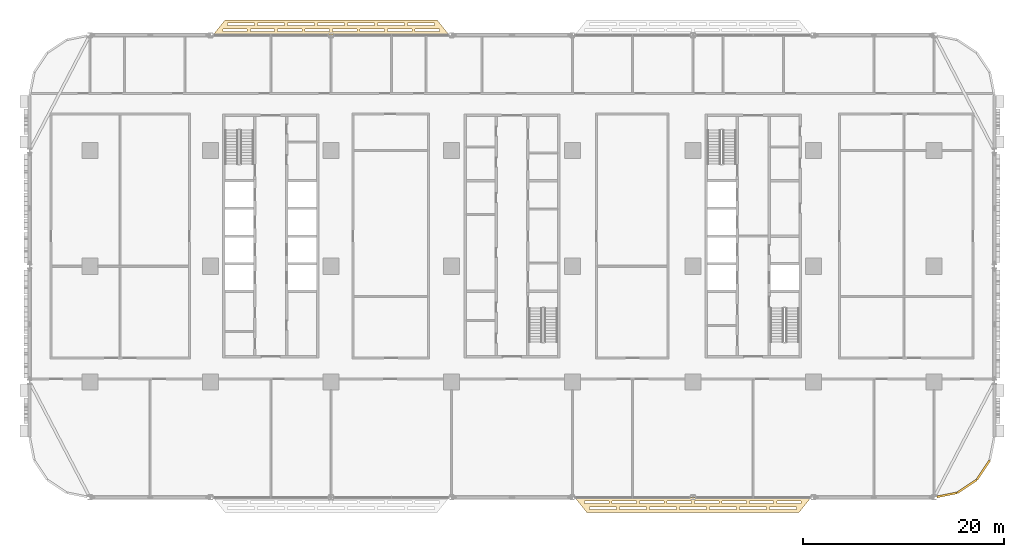
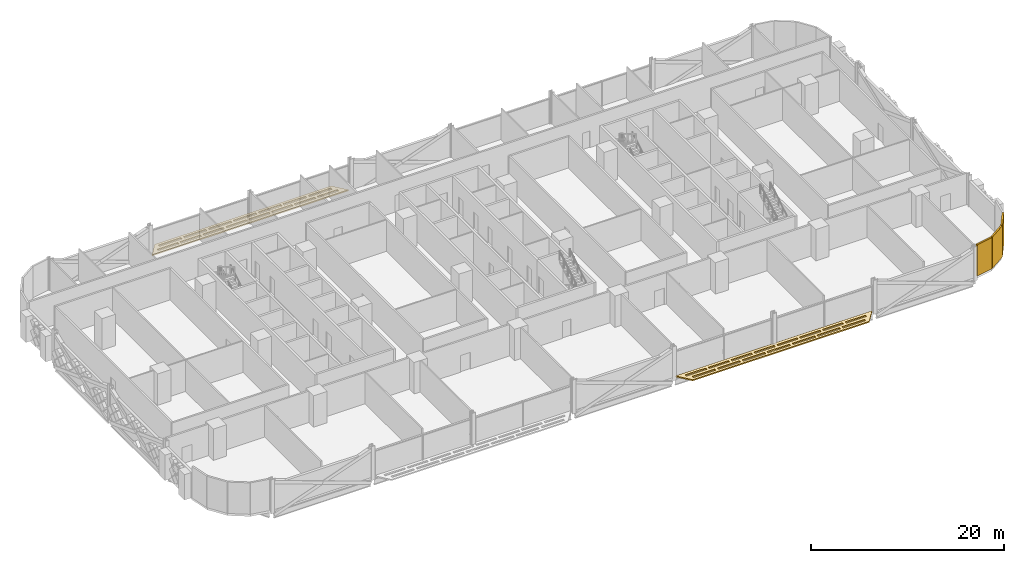
# One storey, part 25 of 28: 5 coverings.
"""IFC4 building model written with IfcOpenShell, lengths in metres."""

from ifc_helpers import new_model, si_unit, direction, frame, origin, origin_2d, place, context, subcontext, project, spatial, polyline, rectangle, outline, extrude, material, layer, layer_set, type_object, element, save


model = new_model("IFC4")

# Units and contexts
model_context = context("Model", 3, precision=1e-05, world=origin(), true_north=direction((0.0, 1.0)))
body_context = subcontext(model_context, "Body", "Model", "MODEL_VIEW")
ifc_project = project(units=[si_unit("LENGTHUNIT", "METRE"), si_unit("AREAUNIT", "SQUARE_METRE"), si_unit("VOLUMEUNIT", "CUBIC_METRE"), si_unit("PLANEANGLEUNIT", "RADIAN"), si_unit("MASSUNIT", "GRAM", prefix="KILO")], contexts=[model_context])

# Site, building, storey
site_placement = place(None, origin())
site = spatial("IfcSite", under=ifc_project, at=site_placement, CompositionType="ELEMENT")
building_placement = place(site_placement, origin())
building = spatial("IfcBuilding", under=site, at=building_placement, Name="Mahtab Terrace Research Tower", CompositionType="ELEMENT")
storey_placement = place(building_placement, frame((0.0, 0.0, 33.0)))
storey = spatial("IfcBuildingStorey", under=building, at=storey_placement, Name="L07", CompositionType="ELEMENT", Elevation=33.0)

# Coverings
ifc_material_1 = material(Name="Black aluminium cladding panel", Category="aluminium")
ifc_layer_1 = layer(ifc_material_1, 0.199951171875)
ifc_layer_set_1 = layer_set([ifc_layer_1], Name="Black metal corner cladding 200")
covering_type_1 = type_object("IfcCoveringType", Name="Black metal corner cladding 200", PredefinedType="CLADDING", material=ifc_layer_set_1)
covering_1_placement = place(storey_placement, frame((43.28173828125, -22.744873046875, 0.0), z_axis=(0.0, 0.0, 1.0), x_axis=(0.980760981187, 0.195212442692, 0.0)))
element("IfcCovering", 1, at=covering_1_placement, inside=storey, type_object=covering_type_1, Name="Corner cladding L07 29", PredefinedType="CLADDING", context=body_context, shape_type="SweptSolid", body=[
    extrude(rectangle(XDim=2.0283203125, YDim=0.199951171875, at=origin_2d()), origin(), (0.0, 0.0, 1.0), 3.9599609375),
])
for number, where, z_axis, x_axis, name in (
    (2, (45.26953125, -21.89306640625, 0.0), (0.0, 0.0, 1.0), (0.831655794326, 0.555291490808, 0.0), "Corner cladding L07 30"),
    (3, (46.89306640625, -20.26953125, 0.0), (0.0, 0.0, 1.0), (0.555291490808, 0.831655794326, 0.0), "Corner cladding L07 31"),
):
    element("IfcCovering", number, at=place(storey_placement, frame(where, z_axis=z_axis, x_axis=x_axis)), inside=storey, type_object=covering_type_1, Name=name, PredefinedType="CLADDING", context=body_context, shape_type="SweptSolid", body=[
        extrude(rectangle(XDim=2.30126953125, YDim=0.199951171875, at=origin_2d()), origin(), (0.0, 0.0, 1.0), 3.9599609375),
    ])
ifc_material_2 = material(Name="Black anodised aluminium", Category="aluminium")
ifc_layer_2 = layer(ifc_material_2, 0.14990234375)
ifc_layer_set_2 = layer_set([ifc_layer_2], Name="Horizontal sunshade band")
covering_type_2 = type_object("IfcCoveringType", Name="Horizontal sunshade band", PredefinedType="CLADDING", material=ifc_layer_set_2)
covering_2_placement = place(storey_placement, frame((0.0, 0.0, -0.14990234375)))
element("IfcCovering", 4, at=covering_2_placement, inside=storey, type_object=covering_type_2, Name="Sunshade band L07 7", PredefinedType="CLADDING", context=body_context, shape_type="SweptSolid", body=[
    extrude(outline(polyline([(-6.2490234375, 23.0), (-29.7509765625, 23.0), (-28.551025390625, 24.5), (-7.448974609375, 24.5), (-6.2490234375, 23.0)]), holes=[polyline([(-7.22900390625, 23.35009765625), (-9.658935546875, 23.35009765625), (-9.658935546875, 23.60009765625), (-7.22900390625, 23.60009765625), (-7.22900390625, 23.35009765625)]), polyline([(-9.958984375, 23.35009765625), (-12.388916015625, 23.35009765625), (-12.388916015625, 23.60009765625), (-9.958984375, 23.60009765625), (-9.958984375, 23.35009765625)]), polyline([(-12.68896484375, 23.35009765625), (-15.1201171875, 23.35009765625), (-15.1201171875, 23.60009765625), (-12.68896484375, 23.60009765625), (-12.68896484375, 23.35009765625)]), polyline([(-15.419921875, 23.35009765625), (-17.85009765625, 23.35009765625), (-17.85009765625, 23.60009765625), (-15.419921875, 23.60009765625), (-15.419921875, 23.35009765625)]), polyline([(-18.14990234375, 23.35009765625), (-20.580078125, 23.35009765625), (-20.580078125, 23.60009765625), (-18.14990234375, 23.60009765625), (-18.14990234375, 23.35009765625)]), polyline([(-20.8798828125, 23.35009765625), (-23.31005859375, 23.35009765625), (-23.31005859375, 23.60009765625), (-20.8798828125, 23.60009765625), (-20.8798828125, 23.35009765625)]), polyline([(-23.611083984375, 23.35009765625), (-26.041015625, 23.35009765625), (-26.041015625, 23.60009765625), (-23.611083984375, 23.60009765625), (-23.611083984375, 23.35009765625)]), polyline([(-26.341064453125, 23.35009765625), (-28.77099609375, 23.35009765625), (-28.77099609375, 23.60009765625), (-26.341064453125, 23.60009765625), (-26.341064453125, 23.35009765625)]), polyline([(-7.708984375, 23.949951171875), (-10.39208984375, 23.949951171875), (-10.39208984375, 24.199951171875), (-7.708984375, 24.199951171875), (-7.708984375, 23.949951171875)]), polyline([(-10.69189453125, 23.949951171875), (-13.375, 23.949951171875), (-13.375, 24.199951171875), (-10.69189453125, 24.199951171875), (-10.69189453125, 23.949951171875)]), polyline([(-13.675048828125, 23.949951171875), (-16.35791015625, 23.949951171875), (-16.35791015625, 24.199951171875), (-13.675048828125, 24.199951171875), (-13.675048828125, 23.949951171875)]), polyline([(-16.657958984375, 23.949951171875), (-19.342041015625, 23.949951171875), (-19.342041015625, 24.199951171875), (-16.657958984375, 24.199951171875), (-16.657958984375, 23.949951171875)]), polyline([(-19.64208984375, 23.949951171875), (-22.324951171875, 23.949951171875), (-22.324951171875, 24.199951171875), (-19.64208984375, 24.199951171875), (-19.64208984375, 23.949951171875)]), polyline([(-22.625, 23.949951171875), (-25.30810546875, 23.949951171875), (-25.30810546875, 24.199951171875), (-22.625, 24.199951171875), (-22.625, 23.949951171875)]), polyline([(-25.60791015625, 23.949951171875), (-28.291015625, 23.949951171875), (-28.291015625, 24.199951171875), (-25.60791015625, 24.199951171875), (-25.60791015625, 23.949951171875)])]), origin(), (0.0, 0.0, 1.0), 0.14990234375),
])
covering_3_placement = place(storey_placement, frame((0.0, 0.0, -0.14990234375)))
element("IfcCovering", 5, at=covering_3_placement, inside=storey, type_object=covering_type_2, Name="Sunshade band L07 26", PredefinedType="CLADDING", context=body_context, shape_type="SweptSolid", body=[
    extrude(outline(polyline([(6.2490234375, -23.0), (29.7509765625, -23.0), (28.551025390625, -24.5), (7.448974609375, -24.5), (6.2490234375, -23.0)]), holes=[polyline([(7.22900390625, -23.35009765625), (9.658935546875, -23.35009765625), (9.658935546875, -23.60009765625), (7.22900390625, -23.60009765625), (7.22900390625, -23.35009765625)]), polyline([(9.958984375, -23.35009765625), (12.388916015625, -23.35009765625), (12.388916015625, -23.60009765625), (9.958984375, -23.60009765625), (9.958984375, -23.35009765625)]), polyline([(12.68896484375, -23.35009765625), (15.1201171875, -23.35009765625), (15.1201171875, -23.60009765625), (12.68896484375, -23.60009765625), (12.68896484375, -23.35009765625)]), polyline([(15.419921875, -23.35009765625), (17.85009765625, -23.35009765625), (17.85009765625, -23.60009765625), (15.419921875, -23.60009765625), (15.419921875, -23.35009765625)]), polyline([(18.14990234375, -23.35009765625), (20.580078125, -23.35009765625), (20.580078125, -23.60009765625), (18.14990234375, -23.60009765625), (18.14990234375, -23.35009765625)]), polyline([(20.8798828125, -23.35009765625), (23.31005859375, -23.35009765625), (23.31005859375, -23.60009765625), (20.8798828125, -23.60009765625), (20.8798828125, -23.35009765625)]), polyline([(23.611083984375, -23.35009765625), (26.041015625, -23.35009765625), (26.041015625, -23.60009765625), (23.611083984375, -23.60009765625), (23.611083984375, -23.35009765625)]), polyline([(26.341064453125, -23.35009765625), (28.77099609375, -23.35009765625), (28.77099609375, -23.60009765625), (26.341064453125, -23.60009765625), (26.341064453125, -23.35009765625)]), polyline([(7.708984375, -23.949951171875), (10.39208984375, -23.949951171875), (10.39208984375, -24.199951171875), (7.708984375, -24.199951171875), (7.708984375, -23.949951171875)]), polyline([(10.69189453125, -23.949951171875), (13.375, -23.949951171875), (13.375, -24.199951171875), (10.69189453125, -24.199951171875), (10.69189453125, -23.949951171875)]), polyline([(13.675048828125, -23.949951171875), (16.35791015625, -23.949951171875), (16.35791015625, -24.199951171875), (13.675048828125, -24.199951171875), (13.675048828125, -23.949951171875)]), polyline([(16.657958984375, -23.949951171875), (19.342041015625, -23.949951171875), (19.342041015625, -24.199951171875), (16.657958984375, -24.199951171875), (16.657958984375, -23.949951171875)]), polyline([(19.64208984375, -23.949951171875), (22.324951171875, -23.949951171875), (22.324951171875, -24.199951171875), (19.64208984375, -24.199951171875), (19.64208984375, -23.949951171875)]), polyline([(22.625, -23.949951171875), (25.30810546875, -23.949951171875), (25.30810546875, -24.199951171875), (22.625, -24.199951171875), (22.625, -23.949951171875)]), polyline([(25.60791015625, -23.949951171875), (28.291015625, -23.949951171875), (28.291015625, -24.199951171875), (25.60791015625, -24.199951171875), (25.60791015625, -23.949951171875)])]), origin(), (0.0, 0.0, 1.0), 0.14990234375),
])

save(model, "model.ifc")
